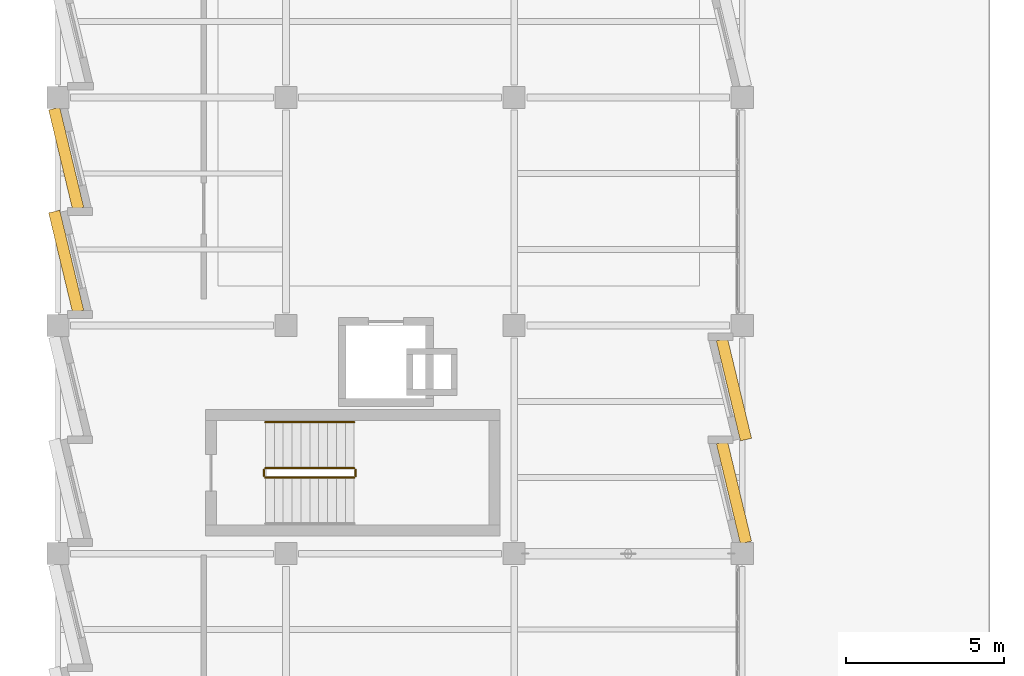
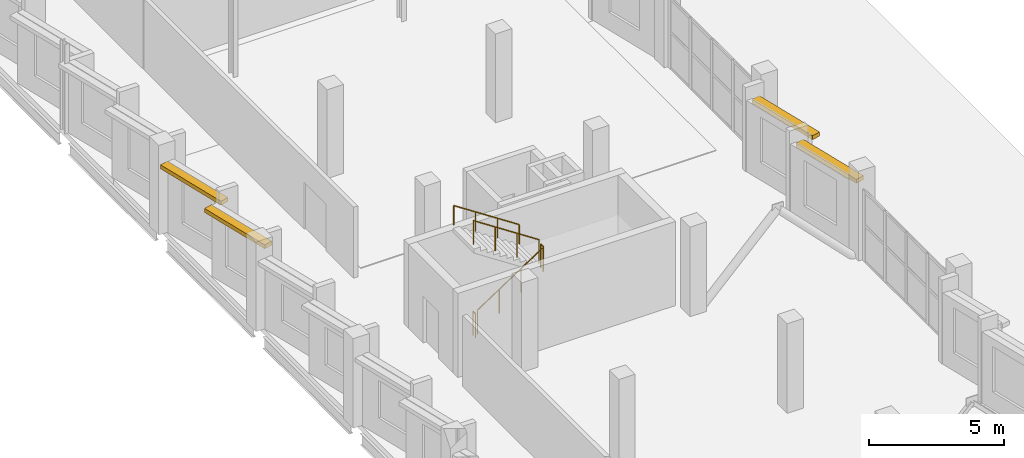
# One storey, part 37 of 38: 5 railings, 4 shading devices.
"""IFC4 building model written with IfcOpenShell, lengths in metres."""

from ifc_helpers import new_model, si_unit, direction, frame, origin, origin_2d, place, context, subcontext, project, spatial, rectangle, circle, extrude, material, layer, layer_set, type_object, element, save


model = new_model("IFC4")

# Units and contexts
model_context = context("Model", 3, precision=1e-05, world=origin(), true_north=direction((0.0, 1.0)))
body_context = subcontext(model_context, "Body", "Model", "MODEL_VIEW")
ifc_project = project(units=[si_unit("LENGTHUNIT", "METRE"), si_unit("AREAUNIT", "SQUARE_METRE"), si_unit("VOLUMEUNIT", "CUBIC_METRE"), si_unit("PLANEANGLEUNIT", "RADIAN"), si_unit("MASSUNIT", "GRAM", prefix="KILO")], contexts=[model_context])

# Site, building, storey
site_placement = place(None, origin())
site = spatial("IfcSite", under=ifc_project, at=site_placement, CompositionType="ELEMENT")
building_placement = place(site_placement, origin())
building = spatial("IfcBuilding", under=site, at=building_placement, Name="Kalmorath City Hall", CompositionType="ELEMENT")
storey_placement = place(building_placement, frame((0.0, 0.0, 18.89990234375)))
storey = spatial("IfcBuildingStorey", under=building, at=storey_placement, Name="L04", CompositionType="ELEMENT", Elevation=18.89990234375)

# Shading devices
ifc_material_1 = material(Name="Precast concrete C40/50", Category="concrete")
ifc_layer = layer(ifc_material_1, 0.179931640625)
ifc_layer_set = layer_set([ifc_layer], Name="Precast concrete C40/50")
shading_device_type = type_object("IfcShadingDeviceType", Name="Precast sawtooth brow sunshade 350", PredefinedType="USERDEFINED", material=ifc_layer_set)
for number, where, z_axis, x_axis, name in (
    (1, (0.2587890625, 59.62158203125, 3.00634765625), (0.0, 0.0, 1.0), (-0.233445363856, 0.972369920398, 0.0), "L04 precast sawtooth hood #396"),
    (2, (0.2587890625, 62.87060546875, 3.00634765625), (0.0, 0.0, 1.0), (-0.233445363856, 0.972369920398, 0.0), "L04 precast sawtooth hood #397"),
    (3, (21.341064453125, 55.578369140625, 3.00634765625), (0.0, 0.0, 1.0), (0.233445363856, -0.972369920398, 0.0), "L04 precast sawtooth hood #418"),
    (4, (21.341064453125, 52.329345703125, 3.00634765625), (0.0, 0.0, 1.0), (0.233445363856, -0.972369920398, 0.0), "L04 precast sawtooth hood #419"),
):
    element("IfcShadingDevice", number, at=place(storey_placement, frame(where, z_axis=z_axis, x_axis=x_axis)), inside=storey, type_object=shading_device_type, Name=name, ObjectType="SUNSHADE", PredefinedType="USERDEFINED", context=body_context, shape_type="SweptSolid", body=[
        extrude(rectangle(XDim=3.246337890625, YDim=0.360107421875, at=origin_2d()), origin(), (0.0, 0.0, 1.0), 0.179931640625),
    ])

# Railings
ifc_material_2 = material(Name="Painted steel guardrail", Category="steel")
railing_type_1 = type_object("IfcRailingType", Name="Protected stair guardrail 1100", PredefinedType="GUARDRAIL", material=ifc_material_2)
railing_1_placement = place(storey_placement, frame((6.550048828125, 52.800048828125, 0.18408203125)))
element("IfcRailing", 5, at=railing_1_placement, inside=storey, type_object=railing_type_1, Name="L04 ST-3 stair guard 1", PredefinedType="GUARDRAIL", context=body_context, shape_type="SweptSolid", body=[
    extrude(circle(Radius=0.02392578125, at=origin_2d()), frame((0.0, 0.0, 1.076171875), z_axis=(0.83556406348, 0.0, 0.549393024911), x_axis=(0.0, 1.0, 0.0)), (0.0, 0.0, 1.0), 3.35107421875),
    extrude(circle(Radius=0.02099609375, at=origin_2d()), origin(), (0.0, 0.0, 1.0), 1.052001953125),
    extrude(circle(Radius=0.02099609375, at=origin_2d()), frame((0.933349609375, 0.0, 0.61376953125)), (0.0, 0.0, 1.0), 1.052001953125),
    extrude(circle(Radius=0.02099609375, at=origin_2d()), frame((1.86669921875, 0.0, 1.227294921875)), (0.0, 0.0, 1.0), 1.052001953125),
    extrude(circle(Radius=0.02099609375, at=origin_2d()), frame((2.800048828125, 0.0, 1.841064453125)), (0.0, 0.0, 1.0), 1.052001953125),
])
railing_2_placement = place(storey_placement, frame((9.39990234375, 52.85009765625, 2.025146484375)))
element("IfcRailing", 6, at=railing_2_placement, inside=storey, type_object=railing_type_1, Name="L04 ST-3 stair guard 2", PredefinedType="GUARDRAIL", context=body_context, shape_type="SweptSolid", body=[
    extrude(circle(Radius=0.02392578125, at=origin_2d()), frame((0.0, 0.0, 1.076171875), z_axis=(0.0, 1.0, 0.0), x_axis=(-1.0, 0.0, 0.0)), (0.0, 0.0, 1.0), 0.199951171875),
    extrude(circle(Radius=0.02099609375, at=origin_2d()), origin(), (0.0, 0.0, 1.0), 1.052001953125),
    extrude(circle(Radius=0.02099609375, at=origin_2d()), frame((0.0, 0.199951171875, 0.0)), (0.0, 0.0, 1.0), 1.052001953125),
])
railing_3_placement = place(storey_placement, frame((9.35009765625, 53.10009765625, 2.209228515625)))
element("IfcRailing", 7, at=railing_3_placement, inside=storey, type_object=railing_type_1, Name="L04 ST-3 stair guard 3", PredefinedType="GUARDRAIL", context=body_context, shape_type="SweptSolid", body=[
    extrude(circle(Radius=0.02392578125, at=origin_2d()), frame((0.0, 0.0, 1.076171875), z_axis=(-0.835597507184, 0.0, 0.549342157483), x_axis=(0.0, -1.0, 0.0)), (0.0, 0.0, 1.0), 3.35107421875),
    extrude(circle(Radius=0.02099609375, at=origin_2d()), origin(), (0.0, 0.0, 1.0), 1.052001953125),
    extrude(circle(Radius=0.02099609375, at=origin_2d()), frame((-0.933349609375, 0.0, 0.613525390625)), (0.0, 0.0, 1.0), 1.052001953125),
    extrude(circle(Radius=0.02099609375, at=origin_2d()), frame((-1.86669921875, 0.0, 1.227294921875)), (0.0, 0.0, 1.0), 1.052001953125),
    extrude(circle(Radius=0.02099609375, at=origin_2d()), frame((-2.800048828125, 0.0, 1.8408203125)), (0.0, 0.0, 1.0), 1.052001953125),
])
railing_4_placement = place(storey_placement, frame((6.5, 52.85009765625, 0.0)))
element("IfcRailing", 8, at=railing_4_placement, inside=storey, type_object=railing_type_1, Name="L04 ST-3 stair guard 4", PredefinedType="GUARDRAIL", context=body_context, shape_type="SweptSolid", body=[
    extrude(circle(Radius=0.02392578125, at=origin_2d()), frame((0.0, 0.0, 1.076171875), z_axis=(0.0, 1.0, 0.0), x_axis=(-1.0, 0.0, 0.0)), (0.0, 0.0, 1.0), 0.199951171875),
    extrude(circle(Radius=0.02099609375, at=origin_2d()), origin(), (0.0, 0.0, 1.0), 1.052001953125),
    extrude(circle(Radius=0.02099609375, at=origin_2d()), frame((0.0, 0.199951171875, 0.0)), (0.0, 0.0, 1.0), 1.052001953125),
])
ifc_material_3 = material(Name="Brushed stainless steel handrail", Category="steel")
railing_type_2 = type_object("IfcRailingType", Name="Stair pitch handrail 900", PredefinedType="HANDRAIL", material=ifc_material_3)
railing_5_placement = place(storey_placement, frame((9.35009765625, 54.550048828125, 2.209228515625)))
element("IfcRailing", 9, at=railing_5_placement, inside=storey, type_object=railing_type_2, Name="L04 ST-3 stair handrail 2", PredefinedType="HANDRAIL", context=body_context, shape_type="SweptSolid", body=[
    extrude(circle(Radius=0.02392578125, at=origin_2d()), frame((0.0, 0.0, 0.8759765625), z_axis=(-0.835597507184, 0.0, 0.549342157483), x_axis=(0.0, -1.0, 0.0)), (0.0, 0.0, 1.0), 3.35107421875),
    extrude(circle(Radius=0.02099609375, at=origin_2d()), origin(), (0.0, 0.0, 1.0), 0.851806640625),
    extrude(circle(Radius=0.02099609375, at=origin_2d()), frame((-0.933349609375, 0.0, 0.613525390625)), (0.0, 0.0, 1.0), 0.851806640625),
    extrude(circle(Radius=0.02099609375, at=origin_2d()), frame((-1.86669921875, 0.0, 1.227294921875)), (0.0, 0.0, 1.0), 0.851806640625),
    extrude(circle(Radius=0.02099609375, at=origin_2d()), frame((-2.800048828125, 0.0, 1.8408203125)), (0.0, 0.0, 1.0), 0.851806640625),
])

save(model, "model.ifc")
